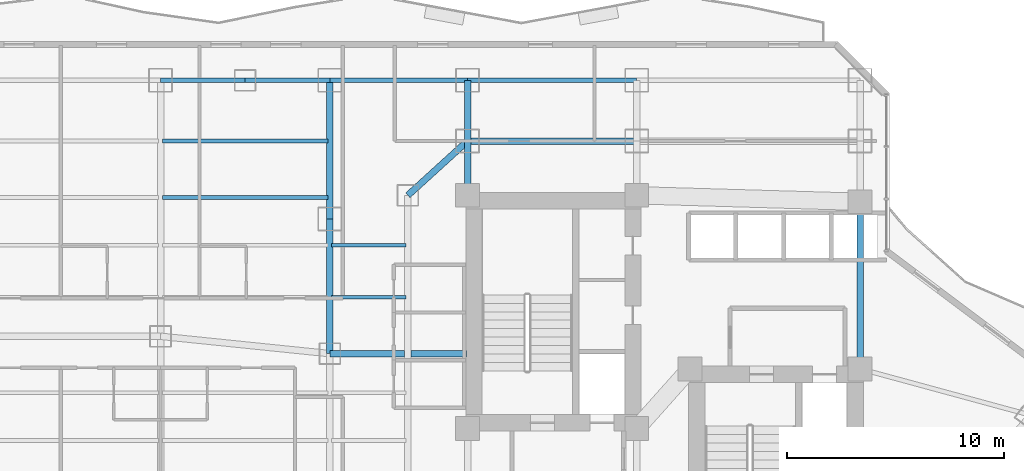
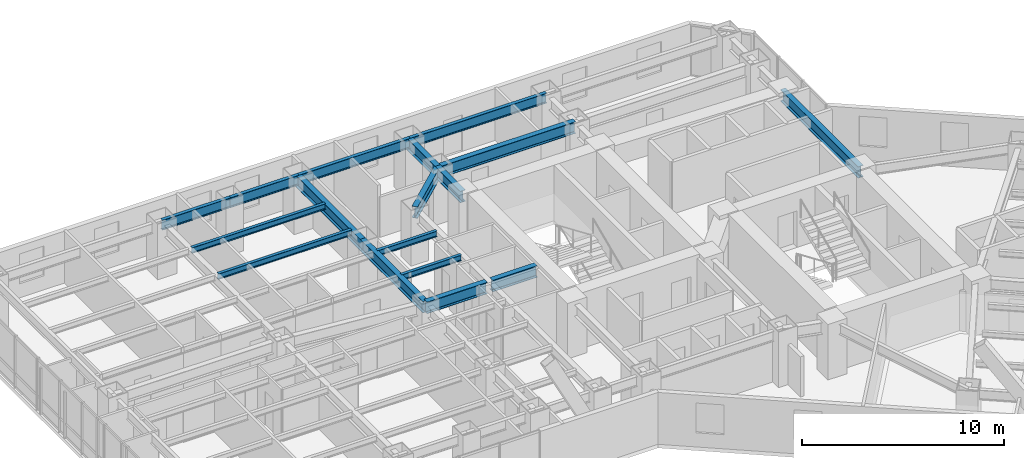
# One storey, part 17 of 32: 17 beams.
"""IFC4 building model written with IfcOpenShell, lengths in metres."""

import ifcopenshell
import ifcopenshell.guid

model = None  # the IFC model being written
_history = None  # IfcOwnerHistory: only IFC2X3 demands one
_inside = {}  # id of a spatial element -> (the spatial element, [elements in it])
_under = {}  # id of a project, library or spatial element -> (it, [spatial elements below it])
_declared = {}  # id of a project -> (the project, [libraries it declares])
_typed = {}  # id of a type object -> (the type object, [elements of that type])
_made_of = {}  # id of a material, layer set ... -> (it, [elements and type objects made of it])


def new_model(schema):
    """Start an empty IFC model of exactly this schema.

    Asked for "IFC4X3", IfcOpenShell would pick the latest addendum, in which some entities
    have other attributes; the version numbers below select the first issue.
    IFC2X3 requires an IfcOwnerHistory on every rooted entity: one is made here for all.
    """
    global model, _history
    if schema == "IFC4X3":
        model = ifcopenshell.file(schema_version=(4, 3, 0, 0))
    else:
        model = ifcopenshell.file(schema=schema)
    _inside.clear()
    _under.clear()
    _declared.clear()
    _typed.clear()
    _made_of.clear()
    _history = None
    if model.schema == "IFC2X3":
        org = make("IfcOrganization", Name="unknown")
        user = make(
            "IfcPersonAndOrganization",
            ThePerson=make("IfcPerson", FamilyName="unknown"),
            TheOrganization=org,
        )
        app = make(
            "IfcApplication",
            ApplicationDeveloper=org,
            Version="unknown",
            ApplicationFullName="unknown",
            ApplicationIdentifier="unknown",
        )
        _history = make(
            "IfcOwnerHistory",
            OwningUser=user,
            OwningApplication=app,
            ChangeAction="ADDED",
            CreationDate=0,
        )
    return model


def make(cls, **values):
    """One entity of the class cls with the attributes given. An attribute that is None is left unset."""
    return model.create_entity(
        cls, **{name: value for name, value in values.items() if value is not None}
    )


def rooted(cls, **values):
    """An entity with a GlobalId (a new one), such as an element, a storey or a relation."""
    return make(cls, GlobalId=ifcopenshell.guid.new(), OwnerHistory=_history, **values)


def si_unit(unit_type, name, prefix=None):
    """IfcSIUnit, for example si_unit("LENGTHUNIT", "METRE", prefix="MILLI")."""
    return make("IfcSIUnit", UnitType=unit_type, Prefix=prefix, Name=name)


def assignment(units):
    """IfcUnitAssignment: the units of a project."""
    return None if units is None else make("IfcUnitAssignment", Units=units)


def point(xyz):
    """IfcCartesianPoint."""
    return None if xyz is None else make("IfcCartesianPoint", Coordinates=xyz)


def direction(xyz):
    """IfcDirection."""
    return None if xyz is None else make("IfcDirection", DirectionRatios=xyz)


def frame(location, z_axis=None, x_axis=None):
    """IfcAxis2Placement3D, a coordinate frame: its origin and axes. An axis left out is left unset."""
    return make(
        "IfcAxis2Placement3D",
        Location=point(location),
        Axis=direction(z_axis),
        RefDirection=direction(x_axis),
    )


def frame_2d(location, x_axis=None):
    """IfcAxis2Placement2D, a coordinate frame in the plane: its origin and x axis."""
    return make(
        "IfcAxis2Placement2D", Location=point(location), RefDirection=direction(x_axis)
    )


def origin():
    """The frame at (0, 0, 0) with its axes left unset."""
    return frame((0.0, 0.0, 0.0))


def origin_2d():
    """The frame at (0, 0) in the plane with its x axis left unset."""
    return frame_2d((0.0, 0.0))


def place(relative_to, where):
    """IfcLocalPlacement: puts the frame where relative to a parent placement (None: the world)."""
    return make(
        "IfcLocalPlacement", PlacementRelTo=relative_to, RelativePlacement=where
    )


def context(
    kind, dimensions, precision=None, world=None, true_north=None, identifier=None
):
    """IfcGeometricRepresentationContext, for example the 3D "Model" context."""
    return make(
        "IfcGeometricRepresentationContext",
        ContextIdentifier=identifier,
        ContextType=kind,
        CoordinateSpaceDimension=dimensions,
        Precision=precision,
        WorldCoordinateSystem=world,
        TrueNorth=true_north,
    )


def subcontext(parent, identifier, kind, view, scale=None):
    """IfcGeometricRepresentationSubContext, for example "Body" below "Model"."""
    return make(
        "IfcGeometricRepresentationSubContext",
        ContextIdentifier=identifier,
        ContextType=kind,
        ParentContext=parent,
        TargetScale=scale,
        TargetView=view,
    )


def project(units=None, contexts=None):
    """IfcProject with its units and contexts."""
    return rooted(
        "IfcProject",
        Name="project",
        RepresentationContexts=contexts,
        UnitsInContext=assignment(units),
    )


def spatial(cls, under=None, at=None, **own):
    """A site, building, storey or space (cls), placed at a placement, below another one or the project."""
    s = rooted(cls, ObjectPlacement=at, **own)
    if under is not None:
        _under.setdefault(under.id(), (under, []))[1].append(s)
    return s


def profile(cls, at=None, kind="AREA", **sizes):
    """A parametric profile (cls). Its sizes go by their IFC names, for example OverallWidth=200.0."""
    return make(cls, ProfileType=kind, Position=at, **sizes)


def i_section(**sizes):
    """IfcIShapeProfileDef."""
    return profile("IfcIShapeProfileDef", **sizes)


def extrude(swept, where, along, depth):
    """IfcExtrudedAreaSolid: the profile swept, set in the frame where, extruded along a direction by depth."""
    return make(
        "IfcExtrudedAreaSolid",
        SweptArea=swept,
        Position=where,
        ExtrudedDirection=direction(along),
        Depth=depth,
    )


def shape(context_of_items, identifier, shape_type, items):
    """IfcShapeRepresentation: the items that make up one representation, for example the "Body"."""
    return make(
        "IfcShapeRepresentation",
        ContextOfItems=context_of_items,
        RepresentationIdentifier=identifier,
        RepresentationType=shape_type,
        Items=items,
    )


def material(Name=None, Category=None):
    """IfcMaterial."""
    return make("IfcMaterial", Name=Name, Category=Category)


def material_profile(
    of_material, cross_section, Name=None, Category=None, Priority=None
):
    """IfcMaterialProfile: a cross section and its material."""
    return make(
        "IfcMaterialProfile",
        Name=Name,
        Material=of_material,
        Profile=cross_section,
        Priority=Priority,
        Category=Category,
    )


def profile_set(profiles, Name=None, composite=None):
    """IfcMaterialProfileSet."""
    return make(
        "IfcMaterialProfileSet",
        Name=Name,
        MaterialProfiles=profiles,
        CompositeProfile=composite,
    )


def made_of(thing, what):
    """Note that an element or type object is made of a material, layer set ...; save() writes the relation."""
    if what is not None:
        _made_of.setdefault(what.id(), (what, []))[1].append(thing)
    return thing


def type_object(cls, material=None, **own):
    """A type object (cls), such as IfcWallType, which elements share."""
    return made_of(rooted(cls, **own), material)


def element(
    cls,
    number,
    at=None,
    inside=None,
    cuts=None,
    type_object=None,
    material=None,
    context=None,
    identifier="Body",
    shape_type=None,
    held_by="IfcProductDefinitionShape",
    body=None,
    shapes=None,
    **own,
):
    """One element of the class cls, such as IfcWall. Its Tag is "e" and its number.

    at: its placement. inside: the storey or other place that contains it. cuts: it is an
    opening in that element (IfcRelVoidsElement). A single representation is given by context,
    identifier, shape_type and body (its items); several are given by shapes. held_by: the class
    of the entity that holds the representations. save() writes the other relations.
    """
    e = rooted(cls, Tag="e%d" % number, ObjectPlacement=at, **own)
    if body is not None:
        shapes = [shape(context, identifier, shape_type, body)]
    if shapes is not None:
        e.Representation = make(held_by, Representations=shapes)
    if inside is not None:
        _inside.setdefault(inside.id(), (inside, []))[1].append(e)
    if cuts is not None:
        rooted(
            "IfcRelVoidsElement", RelatingBuildingElement=cuts, RelatedOpeningElement=e
        )
    if type_object is not None:
        _typed.setdefault(type_object.id(), (type_object, []))[1].append(e)
    return made_of(e, material)


def aggregate(whole, parts):
    """IfcRelAggregates: a whole, such as a stair, and the parts it consists of."""
    return rooted("IfcRelAggregates", RelatingObject=whole, RelatedObjects=parts)


def save(model, path):
    """Write the relations noted so far, then the file.

    IfcRelAggregates (storeys below a building ...), IfcRelContainedInSpatialStructure (elements
    in a storey), IfcRelDefinesByType, IfcRelAssociatesMaterial and IfcRelDeclares: one each for
    every whole, place, type object, material and project.
    """
    for whole, parts in _under.values():
        aggregate(whole, parts)
    for where, things in _inside.values():
        rooted(
            "IfcRelContainedInSpatialStructure",
            RelatedElements=things,
            RelatingStructure=where,
        )
    for kind, things in _typed.values():
        rooted("IfcRelDefinesByType", RelatedObjects=things, RelatingType=kind)
    for what, things in _made_of.values():
        rooted("IfcRelAssociatesMaterial", RelatedObjects=things, RelatingMaterial=what)
    for by, libraries in _declared.values():
        rooted("IfcRelDeclares", RelatingContext=by, RelatedDefinitions=libraries)
    model.write(path)


model = new_model("IFC4")

# Units and contexts
model_context = context("Model", 3, precision=1e-05, world=origin(), true_north=direction((0.0, 1.0)))
body_context = subcontext(model_context, "Body", "Model", "MODEL_VIEW")
ifc_project = project(units=[si_unit("LENGTHUNIT", "METRE"), si_unit("AREAUNIT", "SQUARE_METRE"), si_unit("VOLUMEUNIT", "CUBIC_METRE"), si_unit("PLANEANGLEUNIT", "RADIAN"), si_unit("MASSUNIT", "GRAM", prefix="KILO")], contexts=[model_context])

# Site, building, storey
site_placement = place(None, origin())
site = spatial("IfcSite", under=ifc_project, at=site_placement, CompositionType="ELEMENT")
building_placement = place(site_placement, origin())
building = spatial("IfcBuilding", under=site, at=building_placement, Name="Hatsunagi Terrace Concourse", CompositionType="ELEMENT")
storey_placement = place(building_placement, frame((0.0, 0.0, 36.60009765625)))
storey = spatial("IfcBuildingStorey", under=building, at=storey_placement, Name="L08", CompositionType="ELEMENT", Elevation=36.60009765625)

# Beams
ifc_material_1 = material(Name="Steel SN490B", Category="steel")
ifc_material_profile_1 = material_profile(ifc_material_1, i_section(OverallWidth=0.300048828125, OverallDepth=0.699951171875, WebThickness=0.012939453125, FlangeThickness=0.02392578125, FilletRadius=0.02197265625, at=origin_2d()), Name="H-700x300x13x24")
ifc_profile_set_1 = profile_set([ifc_material_profile_1], Name="Steel SN490B")
beam_type_1 = type_object("IfcBeamType", Name="HotelFloorGirder_H_700x300", PredefinedType="BEAM", material=ifc_profile_set_1)
beam_1_placement = place(storey_placement, frame((43.64990234375, 35.300048828125, 2.77978515625), z_axis=(0.0, 1.0, 0.0), x_axis=(-1.0, 0.0, 0.0)))
element("IfcBeam", 1, at=beam_1_placement, inside=storey, type_object=beam_type_1, Name="Beam G-04 BM-L08-CBK3", PredefinedType="BEAM", context=body_context, shape_type="SweptSolid", body=[
    extrude(i_section(OverallWidth=0.300048828125, OverallDepth=0.699951171875, WebThickness=0.012939453125, FlangeThickness=0.02392578125, FilletRadius=0.02197265625, at=origin_2d()), origin(), (0.0, 0.0, 1.0), 7.699951171875),
])
beam_2_placement = place(storey_placement, frame((25.550048828125, 43.300048828125, 2.77978515625), z_axis=(0.0, 1.0, 0.0), x_axis=(-1.0, 0.0, 0.0)))
element("IfcBeam", 2, at=beam_2_placement, inside=storey, type_object=beam_type_1, Name="Beam G-04 BM-L08-CN1", PredefinedType="BEAM", context=body_context, shape_type="SweptSolid", body=[
    extrude(i_section(OverallWidth=0.300048828125, OverallDepth=0.699951171875, WebThickness=0.012939453125, FlangeThickness=0.02392578125, FilletRadius=0.02197265625, at=origin_2d()), origin(), (0.0, 0.0, 1.0), 2.5),
])
beam_3_placement = place(storey_placement, frame((25.550048828125, 45.800048828125, 2.77978515625), z_axis=(1.0, 0.0, 0.0), x_axis=(0.0, 1.0, 0.0)))
element("IfcBeam", 3, at=beam_3_placement, inside=storey, type_object=beam_type_1, Name="Beam G-04 BM-L08-CNEW1", PredefinedType="BEAM", context=body_context, shape_type="SweptSolid", body=[
    extrude(i_section(OverallWidth=0.300048828125, OverallDepth=0.699951171875, WebThickness=0.012939453125, FlangeThickness=0.02392578125, FilletRadius=0.02197265625, at=origin_2d()), origin(), (0.0, 0.0, 1.0), 7.800048828125),
])
beam_4_placement = place(storey_placement, frame((25.550048828125, 45.800048828125, 2.77978515625), z_axis=(0.0, 1.0, 0.0), x_axis=(-1.0, 0.0, 0.0)))
element("IfcBeam", 4, at=beam_4_placement, inside=storey, type_object=beam_type_1, Name="Beam G-04 BM-L08-KN-WN4", PredefinedType="BEAM", context=body_context, shape_type="SweptSolid", body=[
    extrude(i_section(OverallWidth=0.300048828125, OverallDepth=0.699951171875, WebThickness=0.012939453125, FlangeThickness=0.02392578125, FilletRadius=0.02197265625, at=origin_2d()), origin(), (0.0, 0.0, 1.0), 2.800048828125),
])
beam_5_placement = place(storey_placement, frame((22.800048828125, 43.300048828125, 2.77978515625), z_axis=(0.739940073396, 0.672672793996, 0.0), x_axis=(-0.672672793996, 0.739940073396, 0.0)))
element("IfcBeam", 5, at=beam_5_placement, inside=storey, type_object=beam_type_1, Name="Beam G-04 BM-L08-CWEW-N", PredefinedType="BEAM", context=body_context, shape_type="SweptSolid", body=[
    extrude(i_section(OverallWidth=0.300048828125, OverallDepth=0.699951171875, WebThickness=0.012939453125, FlangeThickness=0.02392578125, FilletRadius=0.02197265625, at=origin_2d()), origin(), (0.0, 0.0, 1.0), 3.716552734375),
])
beam_6_placement = place(storey_placement, frame((19.199951171875, 36.0, 2.77978515625), z_axis=(0.0, 1.0, 0.0), x_axis=(-1.0, 0.0, 0.0)))
element("IfcBeam", 6, at=beam_6_placement, inside=storey, type_object=beam_type_1, Name="Beam G-04 BM-L08-NS-19-36", PredefinedType="BEAM", context=body_context, shape_type="SweptSolid", body=[
    extrude(i_section(OverallWidth=0.300048828125, OverallDepth=0.699951171875, WebThickness=0.012939453125, FlangeThickness=0.02392578125, FilletRadius=0.02197265625, at=origin_2d()), origin(), (0.0, 0.0, 1.0), 6.199951171875),
])
beam_7_placement = place(storey_placement, frame((19.199951171875, 42.199951171875, 2.77978515625), z_axis=(0.0, 1.0, 0.0), x_axis=(-1.0, 0.0, 0.0)))
element("IfcBeam", 7, at=beam_7_placement, inside=storey, type_object=beam_type_1, Name="Beam G-04 BM-L08-NS-19-42", PredefinedType="BEAM", context=body_context, shape_type="SweptSolid", body=[
    extrude(i_section(OverallWidth=0.300048828125, OverallDepth=0.699951171875, WebThickness=0.012939453125, FlangeThickness=0.02392578125, FilletRadius=0.02197265625, at=origin_2d()), origin(), (0.0, 0.0, 1.0), 6.400146484375),
])
beam_8_placement = place(storey_placement, frame((19.199951171875, 36.0, 2.77978515625), z_axis=(1.0, 0.0, 0.0), x_axis=(0.0, 1.0, 0.0)))
element("IfcBeam", 8, at=beam_8_placement, inside=storey, type_object=beam_type_1, Name="Beam G-04 BM-L08-EW-3", PredefinedType="BEAM", context=body_context, shape_type="SweptSolid", body=[
    extrude(i_section(OverallWidth=0.300048828125, OverallDepth=0.699951171875, WebThickness=0.012939453125, FlangeThickness=0.02392578125, FilletRadius=0.02197265625, at=origin_2d()), origin(), (0.0, 0.0, 1.0), 3.449951171875),
])
beam_9_placement = place(storey_placement, frame((22.949951171875, 36.0, 2.77978515625), z_axis=(1.0, 0.0, 0.0), x_axis=(0.0, 1.0, 0.0)))
element("IfcBeam", 9, at=beam_9_placement, inside=storey, type_object=beam_type_1, Name="Beam G-04 BM-L08-EW-4", PredefinedType="BEAM", context=body_context, shape_type="SweptSolid", body=[
    extrude(i_section(OverallWidth=0.300048828125, OverallDepth=0.699951171875, WebThickness=0.012939453125, FlangeThickness=0.02392578125, FilletRadius=0.02197265625, at=origin_2d()), origin(), (0.0, 0.0, 1.0), 2.56005859375),
])
ifc_material_2 = material(Name="Steel SN490B", Category="steel")
ifc_material_profile_2 = material_profile(ifc_material_2, i_section(OverallWidth=0.175048828125, OverallDepth=0.35009765625, WebThickness=0.007080078125, FlangeThickness=0.010986328125, FilletRadius=0.012939453125, at=origin_2d()), Name="H-350x175x7x11")
ifc_profile_set_2 = profile_set([ifc_material_profile_2], Name="Steel SN490B")
beam_type_2 = type_object("IfcBeamType", Name="HotelJoist_H_350x175", PredefinedType="JOIST", material=ifc_profile_set_2)
for number, where, z_axis, x_axis, name in (
    (10, (19.284912109375, 38.60009765625, 2.954833984375), (1.0, 0.0, 0.0), (0.0, 1.0, 0.0), "Beam J-02 J-L08-W-19-386"),
    (11, (19.284912109375, 41.0, 2.954833984375), (1.0, 0.0, 0.0), (0.0, 1.0, 0.0), "Beam J-02 J-L08-W-19-410"),
):
    element("IfcBeam", number, at=place(storey_placement, frame(where, z_axis=z_axis, x_axis=x_axis)), inside=storey, type_object=beam_type_2, Name=name, PredefinedType="JOIST", context=body_context, shape_type="SweptSolid", body=[
        extrude(i_section(OverallWidth=0.175048828125, OverallDepth=0.35009765625, WebThickness=0.007080078125, FlangeThickness=0.010986328125, FilletRadius=0.012939453125, at=origin_2d()), origin(), (0.0, 0.0, 1.0), 3.43017578125),
    ])
for number, where, z_axis, x_axis, name in (
    (12, (11.485107421875, 43.199951171875, 2.954833984375), (1.0, 0.0, 0.0), (0.0, 1.0, 0.0), "Beam J-02 J-L08-W-11-432"),
    (13, (11.485107421875, 45.800048828125, 2.954833984375), (1.0, 0.0, 0.0), (0.0, 1.0, 0.0), "Beam J-02 J-L08-W-11-458"),
):
    element("IfcBeam", number, at=place(storey_placement, frame(where, z_axis=z_axis, x_axis=x_axis)), inside=storey, type_object=beam_type_2, Name=name, PredefinedType="JOIST", context=body_context, shape_type="SweptSolid", body=[
        extrude(i_section(OverallWidth=0.175048828125, OverallDepth=0.35009765625, WebThickness=0.007080078125, FlangeThickness=0.010986328125, FilletRadius=0.012939453125, at=origin_2d()), origin(), (0.0, 0.0, 1.0), 7.6298828125),
    ])
ifc_material_3 = material(Name="Steel SN490B", Category="steel")
ifc_material_profile_3 = material_profile(ifc_material_3, i_section(OverallWidth=0.199951171875, OverallDepth=0.60009765625, WebThickness=0.010986328125, FlangeThickness=0.01708984375, FilletRadius=0.01806640625, at=origin_2d()), Name="H-600x200x11x17")
ifc_profile_set_3 = profile_set([ifc_material_profile_3], Name="Steel SN490B")
beam_type_3 = type_object("IfcBeamType", Name="PerimeterSpandrel_H_600x200", PredefinedType="SPANDREL", material=ifc_profile_set_3)
beam_10_placement = place(storey_placement, frame((11.39990234375, 48.60009765625, 2.829833984375), z_axis=(1.0, 0.0, 0.0), x_axis=(0.0, 1.0, 0.0)))
element("IfcBeam", 14, at=beam_10_placement, inside=storey, type_object=beam_type_3, Name="Beam SP-01 BM-L08-WN-11", PredefinedType="SPANDREL", context=body_context, shape_type="SweptSolid", body=[
    extrude(i_section(OverallWidth=0.199951171875, OverallDepth=0.60009765625, WebThickness=0.010986328125, FlangeThickness=0.01708984375, FilletRadius=0.01806640625, at=origin_2d()), origin(), (0.0, 0.0, 1.0), 3.900146484375),
])
beam_11_placement = place(storey_placement, frame((15.300048828125, 48.60009765625, 2.829833984375), z_axis=(1.0, 0.0, 0.0), x_axis=(0.0, 1.0, 0.0)))
element("IfcBeam", 15, at=beam_11_placement, inside=storey, type_object=beam_type_3, Name="Beam SP-01 BM-L08-WN-15", PredefinedType="SPANDREL", context=body_context, shape_type="SweptSolid", body=[
    extrude(i_section(OverallWidth=0.199951171875, OverallDepth=0.60009765625, WebThickness=0.010986328125, FlangeThickness=0.01708984375, FilletRadius=0.01806640625, at=origin_2d()), origin(), (0.0, 0.0, 1.0), 3.89990234375),
])
beam_12_placement = place(storey_placement, frame((19.199951171875, 48.60009765625, 2.829833984375), z_axis=(1.0, 0.0, 0.0), x_axis=(0.0, 1.0, 0.0)))
element("IfcBeam", 16, at=beam_12_placement, inside=storey, type_object=beam_type_3, Name="Beam SP-01 BM-L08-WN-19", PredefinedType="SPANDREL", context=body_context, shape_type="SweptSolid", body=[
    extrude(i_section(OverallWidth=0.199951171875, OverallDepth=0.60009765625, WebThickness=0.010986328125, FlangeThickness=0.01708984375, FilletRadius=0.01806640625, at=origin_2d()), origin(), (0.0, 0.0, 1.0), 6.35009765625),
])
beam_13_placement = place(storey_placement, frame((25.550048828125, 48.60009765625, 2.829833984375), z_axis=(1.0, 0.0, 0.0), x_axis=(0.0, 1.0, 0.0)))
element("IfcBeam", 17, at=beam_13_placement, inside=storey, type_object=beam_type_3, Name="Beam SP-01 BM-L08-WN-25", PredefinedType="SPANDREL", context=body_context, shape_type="SweptSolid", body=[
    extrude(i_section(OverallWidth=0.199951171875, OverallDepth=0.60009765625, WebThickness=0.010986328125, FlangeThickness=0.01708984375, FilletRadius=0.01806640625, at=origin_2d()), origin(), (0.0, 0.0, 1.0), 7.800048828125),
])

save(model, "model.ifc")
